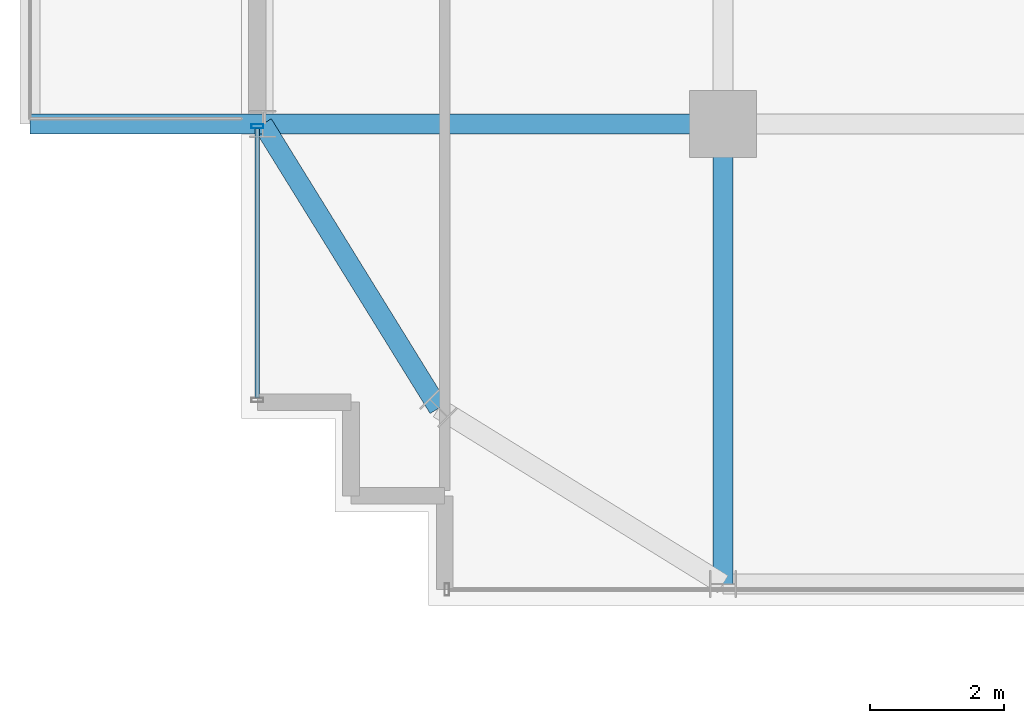
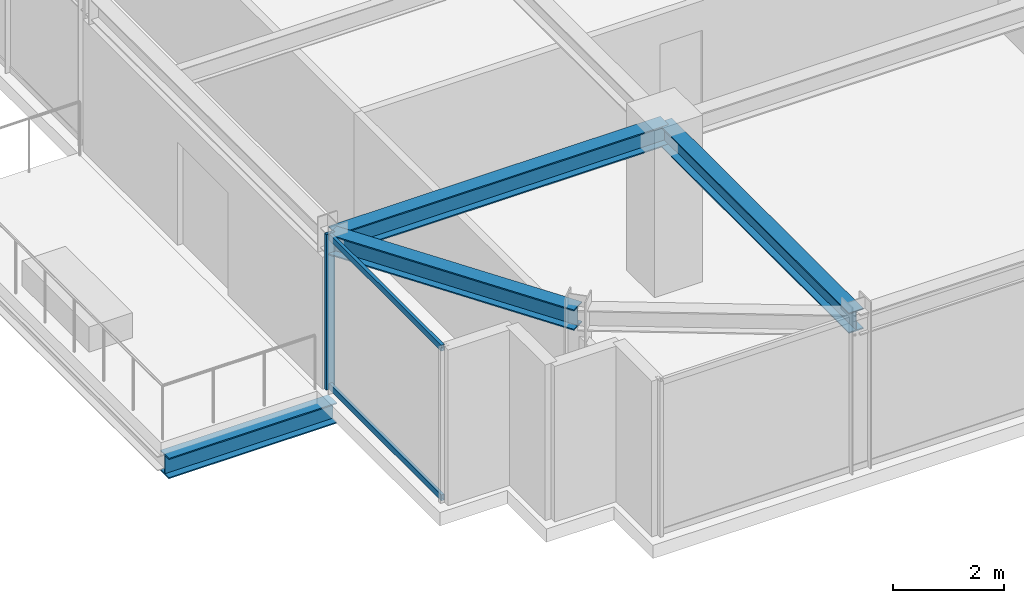
# One storey, part 4 of 32: 4 beams, 3 members, 1 element without a shape of its own.
"""IFC4 building model written with IfcOpenShell, lengths in metres."""

import ifcopenshell
import ifcopenshell.guid

model = None  # the IFC model being written
_history = None  # IfcOwnerHistory: only IFC2X3 demands one
_inside = {}  # id of a spatial element -> (the spatial element, [elements in it])
_under = {}  # id of a project, library or spatial element -> (it, [spatial elements below it])
_declared = {}  # id of a project -> (the project, [libraries it declares])
_typed = {}  # id of a type object -> (the type object, [elements of that type])
_made_of = {}  # id of a material, layer set ... -> (it, [elements and type objects made of it])


def new_model(schema):
    """Start an empty IFC model of exactly this schema.

    Asked for "IFC4X3", IfcOpenShell would pick the latest addendum, in which some entities
    have other attributes; the version numbers below select the first issue.
    IFC2X3 requires an IfcOwnerHistory on every rooted entity: one is made here for all.
    """
    global model, _history
    if schema == "IFC4X3":
        model = ifcopenshell.file(schema_version=(4, 3, 0, 0))
    else:
        model = ifcopenshell.file(schema=schema)
    _inside.clear()
    _under.clear()
    _declared.clear()
    _typed.clear()
    _made_of.clear()
    _history = None
    if model.schema == "IFC2X3":
        org = make("IfcOrganization", Name="unknown")
        user = make(
            "IfcPersonAndOrganization",
            ThePerson=make("IfcPerson", FamilyName="unknown"),
            TheOrganization=org,
        )
        app = make(
            "IfcApplication",
            ApplicationDeveloper=org,
            Version="unknown",
            ApplicationFullName="unknown",
            ApplicationIdentifier="unknown",
        )
        _history = make(
            "IfcOwnerHistory",
            OwningUser=user,
            OwningApplication=app,
            ChangeAction="ADDED",
            CreationDate=0,
        )
    return model


def make(cls, **values):
    """One entity of the class cls with the attributes given. An attribute that is None is left unset."""
    return model.create_entity(
        cls, **{name: value for name, value in values.items() if value is not None}
    )


def rooted(cls, **values):
    """An entity with a GlobalId (a new one), such as an element, a storey or a relation."""
    return make(cls, GlobalId=ifcopenshell.guid.new(), OwnerHistory=_history, **values)


def si_unit(unit_type, name, prefix=None):
    """IfcSIUnit, for example si_unit("LENGTHUNIT", "METRE", prefix="MILLI")."""
    return make("IfcSIUnit", UnitType=unit_type, Prefix=prefix, Name=name)


def assignment(units):
    """IfcUnitAssignment: the units of a project."""
    return None if units is None else make("IfcUnitAssignment", Units=units)


def point(xyz):
    """IfcCartesianPoint."""
    return None if xyz is None else make("IfcCartesianPoint", Coordinates=xyz)


def direction(xyz):
    """IfcDirection."""
    return None if xyz is None else make("IfcDirection", DirectionRatios=xyz)


def frame(location, z_axis=None, x_axis=None):
    """IfcAxis2Placement3D, a coordinate frame: its origin and axes. An axis left out is left unset."""
    return make(
        "IfcAxis2Placement3D",
        Location=point(location),
        Axis=direction(z_axis),
        RefDirection=direction(x_axis),
    )


def frame_2d(location, x_axis=None):
    """IfcAxis2Placement2D, a coordinate frame in the plane: its origin and x axis."""
    return make(
        "IfcAxis2Placement2D", Location=point(location), RefDirection=direction(x_axis)
    )


def origin():
    """The frame at (0, 0, 0) with its axes left unset."""
    return frame((0.0, 0.0, 0.0))


def origin_2d():
    """The frame at (0, 0) in the plane with its x axis left unset."""
    return frame_2d((0.0, 0.0))


def place(relative_to, where):
    """IfcLocalPlacement: puts the frame where relative to a parent placement (None: the world)."""
    return make(
        "IfcLocalPlacement", PlacementRelTo=relative_to, RelativePlacement=where
    )


def context(
    kind, dimensions, precision=None, world=None, true_north=None, identifier=None
):
    """IfcGeometricRepresentationContext, for example the 3D "Model" context."""
    return make(
        "IfcGeometricRepresentationContext",
        ContextIdentifier=identifier,
        ContextType=kind,
        CoordinateSpaceDimension=dimensions,
        Precision=precision,
        WorldCoordinateSystem=world,
        TrueNorth=true_north,
    )


def subcontext(parent, identifier, kind, view, scale=None):
    """IfcGeometricRepresentationSubContext, for example "Body" below "Model"."""
    return make(
        "IfcGeometricRepresentationSubContext",
        ContextIdentifier=identifier,
        ContextType=kind,
        ParentContext=parent,
        TargetScale=scale,
        TargetView=view,
    )


def project(units=None, contexts=None):
    """IfcProject with its units and contexts."""
    return rooted(
        "IfcProject",
        Name="project",
        RepresentationContexts=contexts,
        UnitsInContext=assignment(units),
    )


def spatial(cls, under=None, at=None, **own):
    """A site, building, storey or space (cls), placed at a placement, below another one or the project."""
    s = rooted(cls, ObjectPlacement=at, **own)
    if under is not None:
        _under.setdefault(under.id(), (under, []))[1].append(s)
    return s


def profile(cls, at=None, kind="AREA", **sizes):
    """A parametric profile (cls). Its sizes go by their IFC names, for example OverallWidth=200.0."""
    return make(cls, ProfileType=kind, Position=at, **sizes)


def hollow_rectangle(**sizes):
    """IfcRectangleHollowProfileDef."""
    return profile("IfcRectangleHollowProfileDef", **sizes)


def i_section(**sizes):
    """IfcIShapeProfileDef."""
    return profile("IfcIShapeProfileDef", **sizes)


def extrude(swept, where, along, depth):
    """IfcExtrudedAreaSolid: the profile swept, set in the frame where, extruded along a direction by depth."""
    return make(
        "IfcExtrudedAreaSolid",
        SweptArea=swept,
        Position=where,
        ExtrudedDirection=direction(along),
        Depth=depth,
    )


def shape(context_of_items, identifier, shape_type, items):
    """IfcShapeRepresentation: the items that make up one representation, for example the "Body"."""
    return make(
        "IfcShapeRepresentation",
        ContextOfItems=context_of_items,
        RepresentationIdentifier=identifier,
        RepresentationType=shape_type,
        Items=items,
    )


def source(mapping_origin, context_of_items, identifier, shape_type, items):
    """IfcRepresentationMap: a shape defined once, which mapped items show again and again."""
    return make(
        "IfcRepresentationMap",
        MappingOrigin=mapping_origin,
        MappedRepresentation=shape(context_of_items, identifier, shape_type, items),
    )


def transform(
    local_origin,
    x_axis=None,
    y_axis=None,
    z_axis=None,
    scale=None,
    scale2=None,
    scale3=None,
    uniform=True,
):
    """IfcCartesianTransformationOperator3D, or its non-uniform kind. x_axis, y_axis, z_axis: its Axis1, 2, 3."""
    if uniform:
        return make(
            "IfcCartesianTransformationOperator3D",
            Axis1=direction(x_axis),
            Axis2=direction(y_axis),
            LocalOrigin=point(local_origin),
            Scale=scale,
            Axis3=direction(z_axis),
        )
    return make(
        "IfcCartesianTransformationOperator3DnonUniform",
        Axis1=direction(x_axis),
        Axis2=direction(y_axis),
        LocalOrigin=point(local_origin),
        Scale=scale,
        Axis3=direction(z_axis),
        Scale2=scale2,
        Scale3=scale3,
    )


def mapped(mapping_source, mapping_target):
    """IfcMappedItem: shows the shape of a source again, moved by a transform."""
    return make(
        "IfcMappedItem", MappingSource=mapping_source, MappingTarget=mapping_target
    )


def material(Name=None, Category=None):
    """IfcMaterial."""
    return make("IfcMaterial", Name=Name, Category=Category)


def material_profile(
    of_material, cross_section, Name=None, Category=None, Priority=None
):
    """IfcMaterialProfile: a cross section and its material."""
    return make(
        "IfcMaterialProfile",
        Name=Name,
        Material=of_material,
        Profile=cross_section,
        Priority=Priority,
        Category=Category,
    )


def profile_set(profiles, Name=None, composite=None):
    """IfcMaterialProfileSet."""
    return make(
        "IfcMaterialProfileSet",
        Name=Name,
        MaterialProfiles=profiles,
        CompositeProfile=composite,
    )


def made_of(thing, what):
    """Note that an element or type object is made of a material, layer set ...; save() writes the relation."""
    if what is not None:
        _made_of.setdefault(what.id(), (what, []))[1].append(thing)
    return thing


def type_object(cls, material=None, **own):
    """A type object (cls), such as IfcWallType, which elements share."""
    return made_of(rooted(cls, **own), material)


def element(
    cls,
    number,
    at=None,
    inside=None,
    cuts=None,
    type_object=None,
    material=None,
    context=None,
    identifier="Body",
    shape_type=None,
    held_by="IfcProductDefinitionShape",
    body=None,
    shapes=None,
    **own,
):
    """One element of the class cls, such as IfcWall. Its Tag is "e" and its number.

    at: its placement. inside: the storey or other place that contains it. cuts: it is an
    opening in that element (IfcRelVoidsElement). A single representation is given by context,
    identifier, shape_type and body (its items); several are given by shapes. held_by: the class
    of the entity that holds the representations. save() writes the other relations.
    """
    e = rooted(cls, Tag="e%d" % number, ObjectPlacement=at, **own)
    if body is not None:
        shapes = [shape(context, identifier, shape_type, body)]
    if shapes is not None:
        e.Representation = make(held_by, Representations=shapes)
    if inside is not None:
        _inside.setdefault(inside.id(), (inside, []))[1].append(e)
    if cuts is not None:
        rooted(
            "IfcRelVoidsElement", RelatingBuildingElement=cuts, RelatedOpeningElement=e
        )
    if type_object is not None:
        _typed.setdefault(type_object.id(), (type_object, []))[1].append(e)
    return made_of(e, material)


def aggregate(whole, parts):
    """IfcRelAggregates: a whole, such as a stair, and the parts it consists of."""
    return rooted("IfcRelAggregates", RelatingObject=whole, RelatedObjects=parts)


def save(model, path):
    """Write the relations noted so far, then the file.

    IfcRelAggregates (storeys below a building ...), IfcRelContainedInSpatialStructure (elements
    in a storey), IfcRelDefinesByType, IfcRelAssociatesMaterial and IfcRelDeclares: one each for
    every whole, place, type object, material and project.
    """
    for whole, parts in _under.values():
        aggregate(whole, parts)
    for where, things in _inside.values():
        rooted(
            "IfcRelContainedInSpatialStructure",
            RelatedElements=things,
            RelatingStructure=where,
        )
    for kind, things in _typed.values():
        rooted("IfcRelDefinesByType", RelatedObjects=things, RelatingType=kind)
    for what, things in _made_of.values():
        rooted("IfcRelAssociatesMaterial", RelatedObjects=things, RelatingMaterial=what)
    for by, libraries in _declared.values():
        rooted("IfcRelDeclares", RelatingContext=by, RelatedDefinitions=libraries)
    model.write(path)


model = new_model("IFC4")

# Units and contexts
model_context = context("Model", 3, precision=1e-05, world=origin(), true_north=direction((0.0, 1.0)))
body_context = subcontext(model_context, "Body", "Model", "MODEL_VIEW")
ifc_project = project(units=[si_unit("LENGTHUNIT", "METRE"), si_unit("AREAUNIT", "SQUARE_METRE"), si_unit("VOLUMEUNIT", "CUBIC_METRE"), si_unit("PLANEANGLEUNIT", "RADIAN"), si_unit("MASSUNIT", "GRAM", prefix="KILO")], contexts=[model_context])

# Site, building, storey
site_placement = place(None, origin())
site = spatial("IfcSite", under=ifc_project, at=site_placement, CompositionType="ELEMENT")
building_placement = place(site_placement, origin())
building = spatial("IfcBuilding", under=site, at=building_placement, Name="Nahalor Promenade Grand Hotel", CompositionType="ELEMENT")
storey_placement = place(building_placement, frame((0.0, 0.0, 230.800048828125)))
storey = spatial("IfcBuildingStorey", under=building, at=storey_placement, Name="L59", CompositionType="ELEMENT", Elevation=230.800048828125)

# Beams
ifc_material_1 = material(Name="Steel S355JR", Category="steel")
ifc_material_profile_1 = material_profile(ifc_material_1, i_section(OverallWidth=0.3, OverallDepth=0.45, WebThickness=0.014, FlangeThickness=0.026, at=origin_2d()), Name="HEB 450")
ifc_profile_set_1 = profile_set([ifc_material_profile_1], Name="Steel S355JR")
beam_type_1 = type_object("IfcBeamType", Name="Beam-Outrigger-HEB450", PredefinedType="BEAM", material=ifc_profile_set_1)
shared_shape_1 = source(origin(), body_context, "Body", "SweptSolid", [
    extrude(i_section(OverallWidth=0.3, OverallDepth=0.45, WebThickness=0.014, FlangeThickness=0.026, at=origin_2d()), origin(), (0.0, 0.0, 1.0), 3.480224609375),
])
beam_1_placement = place(storey_placement, frame((-27.360107421875, -17.0, -0.505126953125), z_axis=(1.0, 0.0, 0.0), x_axis=(0.0, 1.0, 0.0)))
element("IfcBeam", 1, at=beam_1_placement, inside=storey, type_object=beam_type_1, Name="BM-L59-BC-02-1", PredefinedType="BEAM", context=body_context, shape_type="MappedRepresentation", body=[
    mapped(shared_shape_1, transform((0.0, 0.0, 0.0), scale=1.0)),
])
ifc_material_profile_2 = material_profile(ifc_material_1, i_section(OverallWidth=0.3, OverallDepth=0.45, WebThickness=0.014, FlangeThickness=0.026, at=origin_2d()), Name="HEB 450")
ifc_profile_set_2 = profile_set([ifc_material_profile_2], Name="Steel S355JR")
beam_type_2 = type_object("IfcBeamType", Name="Beam-Spandrel-HEB450", PredefinedType="SPANDREL", material=ifc_profile_set_2)
shared_shape_2 = source(origin(), body_context, "Body", "SweptSolid", [
    extrude(i_section(OverallWidth=0.3, OverallDepth=0.45, WebThickness=0.014, FlangeThickness=0.026, at=origin_2d()), origin(), (0.0, 0.0, 1.0), 4.997802734375),
])
beam_2_placement = place(storey_placement, frame((-21.25, -21.25, 3.18505859375), z_axis=(-0.526199891161, 0.850360908404, 0.0), x_axis=(-0.850360908404, -0.526199891161, 0.0)))
element("IfcBeam", 2, at=beam_2_placement, inside=storey, type_object=beam_type_2, Name="BM-L59-SPC-SW-2", PredefinedType="SPANDREL", context=body_context, shape_type="MappedRepresentation", body=[
    mapped(shared_shape_2, transform((0.0, 0.0, 0.0), scale=1.0)),
])
ifc_material_profile_3 = material_profile(ifc_material_1, i_section(OverallWidth=0.3, OverallDepth=0.45, WebThickness=0.014, FlangeThickness=0.026, at=origin_2d()), Name="HEB 450")
ifc_profile_set_3 = profile_set([ifc_material_profile_3], Name="Steel S355JR")
beam_type_3 = type_object("IfcBeamType", Name="Beam-Girder-HEB450", PredefinedType="BEAM", material=ifc_profile_set_3)
shared_shape_3 = source(origin(), body_context, "Body", "SweptSolid", [
    extrude(i_section(OverallWidth=0.3, OverallDepth=0.45, WebThickness=0.014, FlangeThickness=0.026, at=origin_2d()), origin(), (0.0, 0.0, 1.0), 6.8798828125),
])
for number, where, z_axis, x_axis, name in (
    (3, (-23.8798828125, -17.0, 3.18505859375), (1.0, 0.0, 0.0), (0.0, 1.0, 0.0), "BM-L59-GX-0-0"),
    (4, (-17.0, -23.8798828125, 3.18505859375), (0.0, 1.0, 0.0), (-1.0, 0.0, 0.0), "BM-L59-GY-0-0"),
):
    element("IfcBeam", number, at=place(storey_placement, frame(where, z_axis=z_axis, x_axis=x_axis)), inside=storey, type_object=beam_type_3, Name=name, PredefinedType="BEAM", context=body_context, shape_type="MappedRepresentation", body=[
        mapped(shared_shape_3, transform((0.0, 0.0, 0.0), scale=1.0)),
    ])

# Curtain wall, members
ifc_material_2 = material(Name="Anodised Bronze Aluminium EN AW-6063 T6", Category="aluminium")
curtain_wall_type = type_object("IfcCurtainWallType", Name="CW2 Typical Hotel Flush Bronze Unitised Curtain Wall", PredefinedType="USERDEFINED", material=ifc_material_2)
curtain_wall_placement = place(storey_placement, origin())
curtain_wall = element("IfcCurtainWall", 5, at=curtain_wall_placement, inside=storey, type_object=curtain_wall_type, Name="L59 Curtain Wall CW-L59-W-1", ObjectType="UNITISED_CURTAIN_WALL", PredefinedType="USERDEFINED")
ifc_material_profile_4 = material_profile(ifc_material_2, hollow_rectangle(XDim=0.065, YDim=0.13, WallThickness=0.004, at=origin_2d()), Name="CWT 65x130x4")
ifc_profile_set_4 = profile_set([ifc_material_profile_4], Name="Anodised Bronze Aluminium EN AW-6063 T6")
member_type_1 = type_object("IfcMemberType", Name="CWT2 Typical Bronze Transom 65x130", PredefinedType="USERDEFINED", material=ifc_profile_set_4)
shared_shape_4 = source(origin(), body_context, "Body", "SweptSolid", [
    extrude(hollow_rectangle(XDim=0.065, YDim=0.13, WallThickness=0.004, at=origin_2d()), origin(), (0.0, 0.0, 1.0), 4.030029296875),
])
member_1_placement = place(storey_placement, frame((-23.9599609375, -21.094970703125, 0.06494140625), z_axis=(0.0, 1.0, 0.0), x_axis=(-1.0, 0.0, 0.0)))
member_1 = element("IfcMember", 6, at=member_1_placement, type_object=member_type_1, Name="CW-L59-W-1 Transom 0-0", ObjectType="TRANSOM", PredefinedType="USERDEFINED", context=body_context, shape_type="MappedRepresentation", body=[
    mapped(shared_shape_4, transform((0.0, 0.0, 0.0), scale=1.0)),
])
member_2_placement = place(storey_placement, frame((-23.9599609375, -21.094970703125, 3.344970703125), z_axis=(0.0, 1.0, 0.0), x_axis=(-1.0, 0.0, 0.0)))
member_2 = element("IfcMember", 7, at=member_2_placement, type_object=member_type_1, Name="CW-L59-W-1 Transom 0-1", ObjectType="TRANSOM", PredefinedType="USERDEFINED", context=body_context, shape_type="MappedRepresentation", body=[
    mapped(shared_shape_4, transform((0.0, 0.0, 0.0), scale=1.0)),
])
ifc_material_profile_5 = material_profile(ifc_material_2, hollow_rectangle(XDim=0.065, YDim=0.18, WallThickness=0.004, at=origin_2d()), Name="CWM 65x180x4")
ifc_profile_set_5 = profile_set([ifc_material_profile_5], Name="Anodised Bronze Aluminium EN AW-6063 T6")
member_type_2 = type_object("IfcMemberType", Name="CWM2 Typical Bronze Mullion 65x180", PredefinedType="MULLION", material=ifc_profile_set_5)
shared_shape_5 = source(origin(), body_context, "Body", "SweptSolid", [
    extrude(hollow_rectangle(XDim=0.065, YDim=0.18, WallThickness=0.004, at=origin_2d()), origin(), (0.0, 0.0, 1.0), 3.409912109375),
])
member_3_placement = place(storey_placement, frame((-23.9599609375, -17.032470703125, 0.0), z_axis=(0.0, 0.0, 1.0), x_axis=(0.0, 1.0, 0.0)))
member_3 = element("IfcMember", 8, at=member_3_placement, type_object=member_type_2, Name="CW-L59-W-1 Mullion 1", PredefinedType="MULLION", context=body_context, shape_type="MappedRepresentation", body=[
    mapped(shared_shape_5, transform((0.0, 0.0, 0.0), scale=1.0)),
])
aggregate(curtain_wall, [member_3, member_1, member_2])

save(model, "model.ifc")
